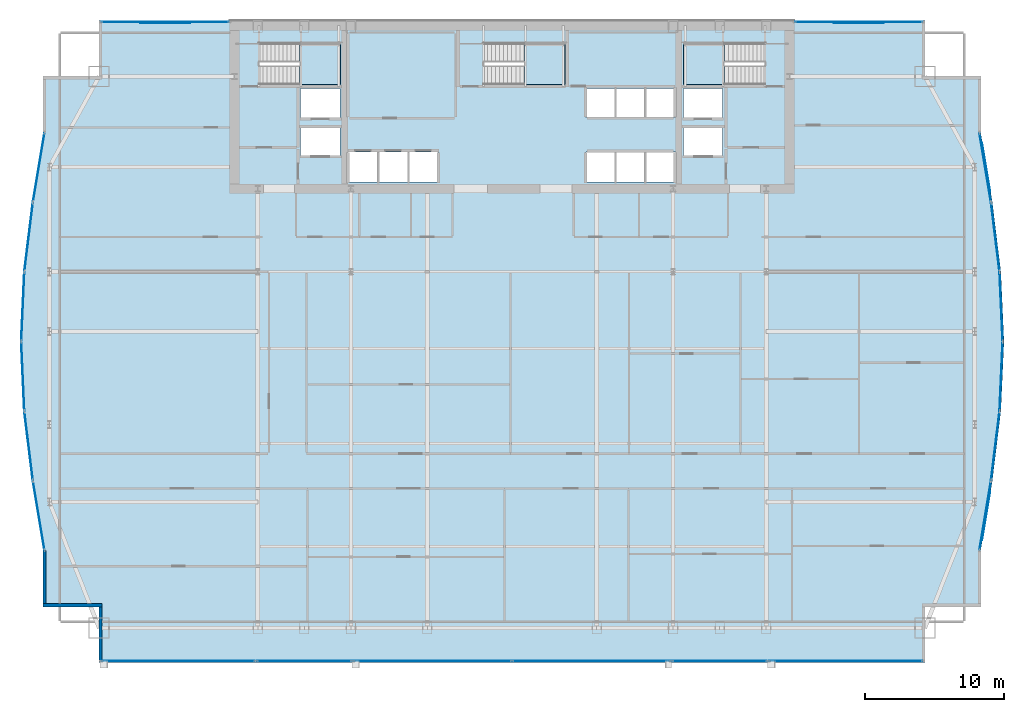
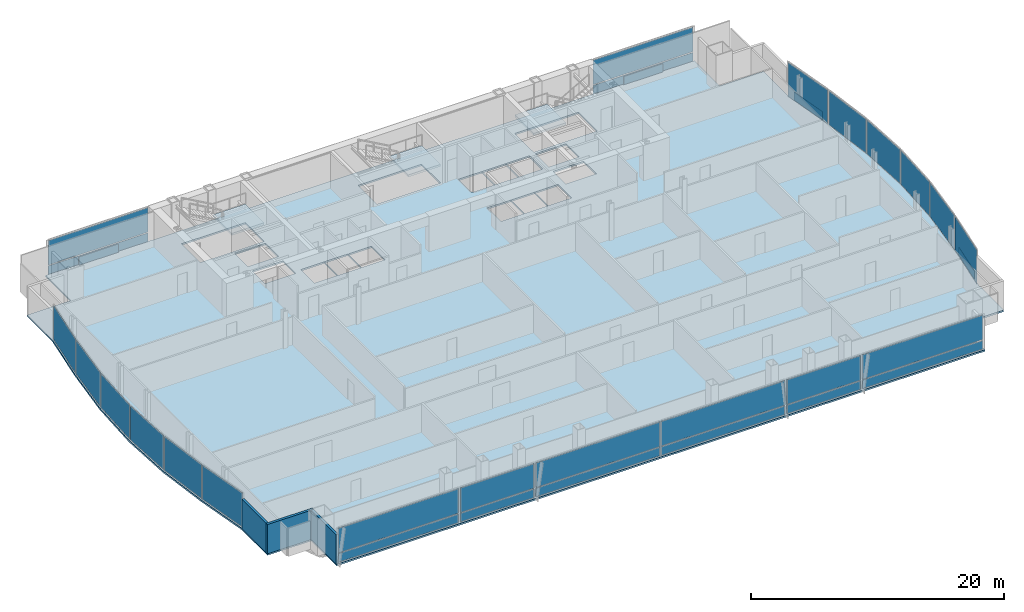
# One storey, part 25 of 31: 32 plates, 4 slabs, 3 walls, 22 elements without a shape of their own.
"""IFC4 building model written with IfcOpenShell, lengths in metres."""

from ifc_helpers import new_model, si_unit, direction, frame, frame_2d, origin, origin_2d, place, context, subcontext, project, spatial, polyline, rectangle, outline, extrude, material, layer, layer_set, type_object, element, aggregate, save


model = new_model("IFC4")

# Units and contexts
model_context = context("Model", 3, precision=1e-05, world=origin(), true_north=direction((0.0, 1.0)))
body_context = subcontext(model_context, "Body", "Model", "MODEL_VIEW")
ifc_project = project(units=[si_unit("LENGTHUNIT", "METRE"), si_unit("AREAUNIT", "SQUARE_METRE"), si_unit("VOLUMEUNIT", "CUBIC_METRE"), si_unit("PLANEANGLEUNIT", "RADIAN"), si_unit("MASSUNIT", "GRAM", prefix="KILO")], contexts=[model_context])

# Site, building, storey
site_placement = place(None, origin())
site = spatial("IfcSite", under=ifc_project, at=site_placement, CompositionType="ELEMENT")
building_placement = place(site_placement, origin())
building = spatial("IfcBuilding", under=site, at=building_placement, Name="Khoronbel Lancet Exchange", CompositionType="ELEMENT")
storey_placement = place(building_placement, frame((0.0, 0.0, 121.800048828125)))
storey = spatial("IfcBuildingStorey", under=building, at=storey_placement, Name="L29", CompositionType="ELEMENT", Elevation=121.800048828125)

# Curtain wall, plate
ifc_material_1 = material(Name="Low-E Solar Control Insulating Glass", Category="glass")
curtain_wall_type_1 = type_object("IfcCurtainWallType", Name="CW-4", PredefinedType="NOTDEFINED", material=ifc_material_1)
curtain_wall_1_placement = place(storey_placement, origin())
curtain_wall_1 = element("IfcCurtainWall", 1, at=curtain_wall_1_placement, inside=storey, type_object=curtain_wall_type_1, Name="Unitised curtain wall CW-L29-E05", PredefinedType="NOTDEFINED")
ifc_material_2 = material(Name="Bronze-Anodised Aluminium 6063-T6", Category="aluminium")
ifc_layer_1 = layer(ifc_material_2, 0.050048828125, Name="Bronze-Anodised Aluminium 6063-T6")
ifc_layer_set_1 = layer_set([ifc_layer_1], Name="Bronze-Anodised Aluminium 6063-T6")
plate_type_1 = type_object("IfcPlateType", Name="PLT-CSP1", PredefinedType="SHEET", material=ifc_layer_set_1)
plate_1_placement = place(storey_placement, frame((1.794677734375, 23.210205078125, 0.0849609375), z_axis=(0.0, 0.0, 1.0), x_axis=(-0.121779332051, 0.992557199503, 0.0)))
plate_1 = element("IfcPlate", 2, at=plate_1_placement, type_object=plate_type_1, Name="CW4 panel 1.1", PredefinedType="CURTAIN_PANEL", context=body_context, shape_type="SweptSolid", body=[
    extrude(rectangle(XDim=4.882080078125, YDim=0.0380859375, at=origin_2d()), origin(), (0.0, 0.0, 1.0), 3.27001953125),
])
aggregate(curtain_wall_1, [plate_1])

curtain_wall_2_placement = place(storey_placement, origin())
curtain_wall_2 = element("IfcCurtainWall", 3, at=curtain_wall_2_placement, inside=storey, type_object=curtain_wall_type_1, Name="Unitised curtain wall CW-L29-E06", PredefinedType="NOTDEFINED")
plate_2_placement = place(storey_placement, frame((1.376220703125, 28.203857421875, 0.0849609375), z_axis=(0.0, 0.0, 1.0), x_axis=(-0.044862147736, 0.998993187014, 0.0)))
plate_2 = element("IfcPlate", 4, at=plate_2_placement, type_object=plate_type_1, Name="CW4 panel 1.1", PredefinedType="CURTAIN_PANEL", context=body_context, shape_type="SweptSolid", body=[
    extrude(rectangle(XDim=4.847412109375, YDim=0.0380859375, at=origin_2d()), origin(), (0.0, 0.0, 1.0), 3.27001953125),
])
aggregate(curtain_wall_2, [plate_2])

curtain_wall_3_placement = place(storey_placement, origin())
curtain_wall_3 = element("IfcCurtainWall", 5, at=curtain_wall_3_placement, inside=storey, type_object=curtain_wall_type_1, Name="Unitised curtain wall CW-L29-E07", PredefinedType="NOTDEFINED")
plate_3_placement = place(storey_placement, frame((1.376220703125, 33.1962890625, 0.0849609375), z_axis=(0.0, 0.0, 1.0), x_axis=(0.044862147736, 0.998993187014, 0.0)))
plate_3 = element("IfcPlate", 6, at=plate_3_placement, type_object=plate_type_1, Name="CW4 panel 1.1", PredefinedType="CURTAIN_PANEL", context=body_context, shape_type="SweptSolid", body=[
    extrude(rectangle(XDim=4.847412109375, YDim=0.0380859375, at=origin_2d()), origin(), (0.0, 0.0, 1.0), 3.27001953125),
])
aggregate(curtain_wall_3, [plate_3])

curtain_wall_4_placement = place(storey_placement, origin())
curtain_wall_4 = element("IfcCurtainWall", 7, at=curtain_wall_4_placement, inside=storey, type_object=curtain_wall_type_1, Name="Unitised curtain wall CW-L29-E08", PredefinedType="NOTDEFINED")
plate_4_placement = place(storey_placement, frame((1.794677734375, 38.189697265625, 0.0849609375), z_axis=(0.0, 0.0, 1.0), x_axis=(0.121779332051, 0.992557199503, 0.0)))
plate_4 = element("IfcPlate", 8, at=plate_4_placement, type_object=plate_type_1, Name="CW4 panel 1.1", PredefinedType="CURTAIN_PANEL", context=body_context, shape_type="SweptSolid", body=[
    extrude(rectangle(XDim=4.882080078125, YDim=0.0380859375, at=origin_2d()), origin(), (0.0, 0.0, 1.0), 3.27001953125),
])
aggregate(curtain_wall_4, [plate_4])

curtain_wall_type_2 = type_object("IfcCurtainWallType", Name="CW-2", PredefinedType="NOTDEFINED", material=ifc_material_1)
curtain_wall_5_placement = place(storey_placement, origin())
curtain_wall_5 = element("IfcCurtainWall", 9, at=curtain_wall_5_placement, inside=storey, type_object=curtain_wall_type_2, Name="Unitised curtain wall CW-L29-NWFLK", PredefinedType="NOTDEFINED")
plate_5_placement = place(storey_placement, frame((11.580078125, 53.550048828125, 0.0498046875), z_axis=(0.0, 0.0, 1.0), x_axis=(-1.0, 0.0, 0.0)))
plate_5 = element("IfcPlate", 10, at=plate_5_placement, type_object=plate_type_1, Name="Insulated bronze spandrel cassette CW-L29-NWFLK", PredefinedType="SHEET", context=body_context, shape_type="SweptSolid", body=[
    extrude(rectangle(XDim=3.60009765625, YDim=0.050048828125, at=origin_2d()), origin(), (0.0, 0.0, 1.0), 0.800048828125),
])

curtain_wall_6_placement = place(storey_placement, origin())
curtain_wall_6 = element("IfcCurtainWall", 11, at=curtain_wall_6_placement, inside=storey, type_object=curtain_wall_type_2, Name="Unitised curtain wall CW-L29-NEFLK", PredefinedType="NOTDEFINED")
plate_6_placement = place(storey_placement, frame((61.320068359375, 53.550048828125, 0.0498046875), z_axis=(0.0, 0.0, 1.0), x_axis=(-1.0, 0.0, 0.0)))
plate_6 = element("IfcPlate", 12, at=plate_6_placement, type_object=plate_type_1, Name="Insulated bronze spandrel cassette CW-L29-NEFLK", PredefinedType="SHEET", context=body_context, shape_type="SweptSolid", body=[
    extrude(rectangle(XDim=3.60009765625, YDim=0.050048828125, at=origin_2d()), origin(), (0.0, 0.0, 1.0), 0.800048828125),
])

curtain_wall_7_placement = place(storey_placement, origin())
curtain_wall_7 = element("IfcCurtainWall", 13, at=curtain_wall_7_placement, inside=storey, type_object=curtain_wall_type_1, Name="Unitised curtain wall CW-L29-E17", PredefinedType="NOTDEFINED")
plate_7_placement = place(storey_placement, frame((70.438720703125, 43.19970703125, 0.0498046875), z_axis=(0.0, 0.0, 1.0), x_axis=(0.165293570002, -0.986244409726, 0.0)))
plate_7 = element("IfcPlate", 14, at=plate_7_placement, type_object=plate_type_1, Name="Insulated bronze spandrel cassette CW-L29-E17", PredefinedType="SHEET", context=body_context, shape_type="SweptSolid", body=[
    extrude(rectangle(XDim=3.552490234375, YDim=0.050048828125, at=origin_2d()), origin(), (0.0, 0.0, 1.0), 0.800048828125),
])

curtain_wall_8_placement = place(storey_placement, origin())
curtain_wall_8 = element("IfcCurtainWall", 15, at=curtain_wall_8_placement, inside=storey, type_object=curtain_wall_type_1, Name="Unitised curtain wall CW-L29-E18", PredefinedType="NOTDEFINED")
plate_8_placement = place(storey_placement, frame((71.105224609375, 38.189697265625, 0.0849609375), z_axis=(0.0, 0.0, 1.0), x_axis=(0.121779332051, -0.992557199503, 0.0)))
plate_8 = element("IfcPlate", 16, at=plate_8_placement, type_object=plate_type_1, Name="CW4 panel 1.1", PredefinedType="CURTAIN_PANEL", context=body_context, shape_type="SweptSolid", body=[
    extrude(rectangle(XDim=4.882080078125, YDim=0.0380859375, at=origin_2d()), origin(), (0.0, 0.0, 1.0), 3.27001953125),
])
aggregate(curtain_wall_8, [plate_8])

curtain_wall_9_placement = place(storey_placement, origin())
curtain_wall_9 = element("IfcCurtainWall", 17, at=curtain_wall_9_placement, inside=storey, type_object=curtain_wall_type_1, Name="Unitised curtain wall CW-L29-E19", PredefinedType="NOTDEFINED")
plate_9_placement = place(storey_placement, frame((71.523681640625, 33.1962890625, 0.0849609375), z_axis=(0.0, 0.0, 1.0), x_axis=(0.044862147736, -0.998993187014, 0.0)))
plate_9 = element("IfcPlate", 18, at=plate_9_placement, type_object=plate_type_1, Name="CW4 panel 1.1", PredefinedType="CURTAIN_PANEL", context=body_context, shape_type="SweptSolid", body=[
    extrude(rectangle(XDim=4.847412109375, YDim=0.0380859375, at=origin_2d()), origin(), (0.0, 0.0, 1.0), 3.27001953125),
])
aggregate(curtain_wall_9, [plate_9])

curtain_wall_10_placement = place(storey_placement, origin())
curtain_wall_10 = element("IfcCurtainWall", 19, at=curtain_wall_10_placement, inside=storey, type_object=curtain_wall_type_1, Name="Unitised curtain wall CW-L29-E20", PredefinedType="NOTDEFINED")
plate_10_placement = place(storey_placement, frame((71.523681640625, 28.203857421875, 0.0849609375), z_axis=(0.0, 0.0, 1.0), x_axis=(-0.044862147736, -0.998993187014, 0.0)))
plate_10 = element("IfcPlate", 20, at=plate_10_placement, type_object=plate_type_1, Name="CW4 panel 1.1", PredefinedType="CURTAIN_PANEL", context=body_context, shape_type="SweptSolid", body=[
    extrude(rectangle(XDim=4.847412109375, YDim=0.0380859375, at=origin_2d()), origin(), (0.0, 0.0, 1.0), 3.27001953125),
])
aggregate(curtain_wall_10, [plate_10])

curtain_wall_11_placement = place(storey_placement, origin())
curtain_wall_11 = element("IfcCurtainWall", 21, at=curtain_wall_11_placement, inside=storey, type_object=curtain_wall_type_1, Name="Unitised curtain wall CW-L29-E21", PredefinedType="NOTDEFINED")
plate_11_placement = place(storey_placement, frame((71.105224609375, 23.210205078125, 0.0849609375), z_axis=(0.0, 0.0, 1.0), x_axis=(-0.121779332051, -0.992557199503, 0.0)))
plate_11 = element("IfcPlate", 22, at=plate_11_placement, type_object=plate_type_1, Name="CW4 panel 1.1", PredefinedType="CURTAIN_PANEL", context=body_context, shape_type="SweptSolid", body=[
    extrude(rectangle(XDim=4.882080078125, YDim=0.0380859375, at=origin_2d()), origin(), (0.0, 0.0, 1.0), 3.27001953125),
])
aggregate(curtain_wall_11, [plate_11])

curtain_wall_12_placement = place(storey_placement, origin())
curtain_wall_12 = element("IfcCurtainWall", 23, at=curtain_wall_12_placement, inside=storey, type_object=curtain_wall_type_1, Name="Unitised curtain wall CW-L29-E22", PredefinedType="NOTDEFINED")
plate_12_placement = place(storey_placement, frame((70.438720703125, 18.2001953125, 0.0498046875), z_axis=(0.0, 0.0, 1.0), x_axis=(-0.165293570002, -0.986244409726, 0.0)))
plate_12 = element("IfcPlate", 24, at=plate_12_placement, type_object=plate_type_1, Name="Insulated bronze spandrel cassette CW-L29-E22", PredefinedType="SHEET", context=body_context, shape_type="SweptSolid", body=[
    extrude(rectangle(XDim=3.552490234375, YDim=0.050048828125, at=origin_2d()), origin(), (0.0, 0.0, 1.0), 0.800048828125),
])

# Curtain wall, plates
curtain_wall_13_placement = place(storey_placement, origin())
curtain_wall_13 = element("IfcCurtainWall", 25, at=curtain_wall_13_placement, inside=storey, type_object=curtain_wall_type_2, Name="Unitised curtain wall CW-L29-SWB", PredefinedType="NOTDEFINED")
plate_13_placement = place(storey_placement, frame((21.550048828125, 7.7900390625, 0.0849609375), z_axis=(0.0, 0.0, 1.0), x_axis=(1.0, 0.0, 0.0)))
plate_13 = element("IfcPlate", 26, at=plate_13_placement, type_object=plate_type_1, Name="CW2 panel 1.1", PredefinedType="CURTAIN_PANEL", context=body_context, shape_type="SweptSolid", body=[
    extrude(rectangle(XDim=6.72998046875, YDim=0.0380859375, at=origin_2d()), origin(), (0.0, 0.0, 1.0), 0.822509765625),
])
plate_14_placement = place(storey_placement, frame((21.550048828125, 7.7900390625, 0.9921875), z_axis=(0.0, 0.0, 1.0), x_axis=(1.0, 0.0, 0.0)))
plate_14 = element("IfcPlate", 27, at=plate_14_placement, type_object=plate_type_1, Name="CW2 panel 1.2", PredefinedType="CURTAIN_PANEL", context=body_context, shape_type="SweptSolid", body=[
    extrude(rectangle(XDim=6.72998046875, YDim=0.0380859375, at=origin_2d()), origin(), (0.0, 0.0, 1.0), 2.362548828125),
])
aggregate(curtain_wall_13, [plate_13, plate_14])

curtain_wall_14_placement = place(storey_placement, origin())
curtain_wall_14 = element("IfcCurtainWall", 28, at=curtain_wall_14_placement, inside=storey, type_object=curtain_wall_type_2, Name="Unitised curtain wall CW-L29-SEB", PredefinedType="NOTDEFINED")
plate_15_placement = place(storey_placement, frame((51.35009765625, 7.7900390625, 0.0849609375), z_axis=(0.0, 0.0, 1.0), x_axis=(1.0, 0.0, 0.0)))
plate_15 = element("IfcPlate", 29, at=plate_15_placement, type_object=plate_type_1, Name="CW2 panel 1.1", PredefinedType="CURTAIN_PANEL", context=body_context, shape_type="SweptSolid", body=[
    extrude(rectangle(XDim=6.72998046875, YDim=0.0380859375, at=origin_2d()), origin(), (0.0, 0.0, 1.0), 0.822509765625),
])
plate_16_placement = place(storey_placement, frame((51.35009765625, 7.7900390625, 0.9921875), z_axis=(0.0, 0.0, 1.0), x_axis=(1.0, 0.0, 0.0)))
plate_16 = element("IfcPlate", 30, at=plate_16_placement, type_object=plate_type_1, Name="CW2 panel 1.2", PredefinedType="CURTAIN_PANEL", context=body_context, shape_type="SweptSolid", body=[
    extrude(rectangle(XDim=6.72998046875, YDim=0.0380859375, at=origin_2d()), origin(), (0.0, 0.0, 1.0), 2.362548828125),
])
aggregate(curtain_wall_14, [plate_15, plate_16])

# Plate
ifc_layer_2 = layer(ifc_material_1, 0.035888671875, Name="Low-E Solar Control Insulating Glass")
ifc_layer_set_2 = layer_set([ifc_layer_2], Name="Low-E Solar Control Insulating Glass")
plate_type_2 = type_object("IfcPlateType", Name="PLT-CWP1", PredefinedType="CURTAIN_PANEL", material=ifc_layer_set_2)
plate_17_placement = place(storey_placement, frame((11.580078125, 53.610107421875, 0.0849609375), z_axis=(0.0, 0.0, 1.0), x_axis=(-1.0, 0.0, 0.0)))
plate_17 = element("IfcPlate", 31, at=plate_17_placement, type_object=plate_type_2, Name="CW2 panel 1.1", PredefinedType="CURTAIN_PANEL", context=body_context, shape_type="SweptSolid", body=[
    extrude(rectangle(XDim=9.110107421875, YDim=0.0380859375, at=origin_2d()), origin(), (0.0, 0.0, 1.0), 0.822509765625),
])

plate_18_placement = place(storey_placement, frame((11.580078125, 53.610107421875, 0.9921875), z_axis=(0.0, 0.0, 1.0), x_axis=(-1.0, 0.0, 0.0)))
plate_18 = element("IfcPlate", 32, at=plate_18_placement, type_object=plate_type_2, Name="CW2 panel 1.2", PredefinedType="CURTAIN_PANEL", context=body_context, shape_type="SweptSolid", body=[
    extrude(rectangle(XDim=9.110107421875, YDim=0.0380859375, at=origin_2d()), origin(), (0.0, 0.0, 1.0), 2.362548828125),
])

aggregate(curtain_wall_5, [plate_17, plate_18, plate_5])

plate_19_placement = place(storey_placement, frame((61.320068359375, 53.610107421875, 0.0849609375), z_axis=(0.0, 0.0, 1.0), x_axis=(-1.0, 0.0, 0.0)))
plate_19 = element("IfcPlate", 33, at=plate_19_placement, type_object=plate_type_2, Name="CW2 panel 1.1", PredefinedType="CURTAIN_PANEL", context=body_context, shape_type="SweptSolid", body=[
    extrude(rectangle(XDim=9.110107421875, YDim=0.0380859375, at=origin_2d()), origin(), (0.0, 0.0, 1.0), 0.822509765625),
])

plate_20_placement = place(storey_placement, frame((61.320068359375, 53.610107421875, 0.9921875), z_axis=(0.0, 0.0, 1.0), x_axis=(-1.0, 0.0, 0.0)))
plate_20 = element("IfcPlate", 34, at=plate_20_placement, type_object=plate_type_2, Name="CW2 panel 1.2", PredefinedType="CURTAIN_PANEL", context=body_context, shape_type="SweptSolid", body=[
    extrude(rectangle(XDim=9.110107421875, YDim=0.0380859375, at=origin_2d()), origin(), (0.0, 0.0, 1.0), 2.362548828125),
])

aggregate(curtain_wall_6, [plate_19, plate_20, plate_6])

# Curtain wall, plates
curtain_wall_15_placement = place(storey_placement, origin())
curtain_wall_15 = element("IfcCurtainWall", 35, at=curtain_wall_15_placement, inside=storey, type_object=curtain_wall_type_2, Name="Unitised curtain wall CW-L29-SWV", PredefinedType="NOTDEFINED")
plate_21_placement = place(storey_placement, frame((12.52001953125, 7.7900390625, 0.0849609375), z_axis=(0.0, 0.0, 1.0), x_axis=(1.0, 0.0, 0.0)))
plate_21 = element("IfcPlate", 36, at=plate_21_placement, type_object=plate_type_2, Name="CW2 panel 1.1", PredefinedType="CURTAIN_PANEL", context=body_context, shape_type="SweptSolid", body=[
    extrude(rectangle(XDim=10.989990234375, YDim=0.0380859375, at=origin_2d()), origin(), (0.0, 0.0, 1.0), 0.822509765625),
])
plate_22_placement = place(storey_placement, frame((12.52001953125, 7.7900390625, 0.9921875), z_axis=(0.0, 0.0, 1.0), x_axis=(1.0, 0.0, 0.0)))
plate_22 = element("IfcPlate", 37, at=plate_22_placement, type_object=plate_type_2, Name="CW2 panel 1.2", PredefinedType="CURTAIN_PANEL", context=body_context, shape_type="SweptSolid", body=[
    extrude(rectangle(XDim=10.989990234375, YDim=0.0380859375, at=origin_2d()), origin(), (0.0, 0.0, 1.0), 2.362548828125),
])
aggregate(curtain_wall_15, [plate_21, plate_22])

curtain_wall_16_placement = place(storey_placement, origin())
curtain_wall_16 = element("IfcCurtainWall", 38, at=curtain_wall_16_placement, inside=storey, type_object=curtain_wall_type_2, Name="Unitised curtain wall CW-L29-SCV", PredefinedType="NOTDEFINED")
plate_23_placement = place(storey_placement, frame((30.746337890625, 7.7900390625, 0.0849609375), z_axis=(0.0, 0.0, 1.0), x_axis=(1.0, 0.0, 0.0)))
plate_23 = element("IfcPlate", 39, at=plate_23_placement, type_object=plate_type_2, Name="CW2 panel 1.1", PredefinedType="CURTAIN_PANEL", context=body_context, shape_type="SweptSolid", body=[
    extrude(rectangle(XDim=11.322509765625, YDim=0.0380859375, at=origin_2d()), origin(), (0.0, 0.0, 1.0), 0.822509765625),
])
plate_24_placement = place(storey_placement, frame((30.746337890625, 7.7900390625, 0.9921875), z_axis=(0.0, 0.0, 1.0), x_axis=(1.0, 0.0, 0.0)))
plate_24 = element("IfcPlate", 40, at=plate_24_placement, type_object=plate_type_2, Name="CW2 panel 1.2", PredefinedType="CURTAIN_PANEL", context=body_context, shape_type="SweptSolid", body=[
    extrude(rectangle(XDim=11.322509765625, YDim=0.0380859375, at=origin_2d()), origin(), (0.0, 0.0, 1.0), 2.362548828125),
])
plate_25_placement = place(storey_placement, frame((42.15380859375, 7.7900390625, 0.0849609375), z_axis=(0.0, 0.0, 1.0), x_axis=(1.0, 0.0, 0.0)))
plate_25 = element("IfcPlate", 41, at=plate_25_placement, type_object=plate_type_2, Name="CW2 panel 2.1", PredefinedType="CURTAIN_PANEL", context=body_context, shape_type="SweptSolid", body=[
    extrude(rectangle(XDim=11.322509765625, YDim=0.0380859375, at=origin_2d()), origin(), (0.0, 0.0, 1.0), 0.822509765625),
])
plate_26_placement = place(storey_placement, frame((42.15380859375, 7.7900390625, 0.9921875), z_axis=(0.0, 0.0, 1.0), x_axis=(1.0, 0.0, 0.0)))
plate_26 = element("IfcPlate", 42, at=plate_26_placement, type_object=plate_type_2, Name="CW2 panel 2.2", PredefinedType="CURTAIN_PANEL", context=body_context, shape_type="SweptSolid", body=[
    extrude(rectangle(XDim=11.322509765625, YDim=0.0380859375, at=origin_2d()), origin(), (0.0, 0.0, 1.0), 2.362548828125),
])
aggregate(curtain_wall_16, [plate_23, plate_24, plate_25, plate_26])

curtain_wall_17_placement = place(storey_placement, origin())
curtain_wall_17 = element("IfcCurtainWall", 43, at=curtain_wall_17_placement, inside=storey, type_object=curtain_wall_type_2, Name="Unitised curtain wall CW-L29-SEV", PredefinedType="NOTDEFINED")
plate_27_placement = place(storey_placement, frame((60.3798828125, 7.7900390625, 0.0849609375), z_axis=(0.0, 0.0, 1.0), x_axis=(1.0, 0.0, 0.0)))
plate_27 = element("IfcPlate", 44, at=plate_27_placement, type_object=plate_type_2, Name="CW2 panel 1.1", PredefinedType="CURTAIN_PANEL", context=body_context, shape_type="SweptSolid", body=[
    extrude(rectangle(XDim=10.989990234375, YDim=0.0380859375, at=origin_2d()), origin(), (0.0, 0.0, 1.0), 0.822509765625),
])
plate_28_placement = place(storey_placement, frame((60.3798828125, 7.7900390625, 0.9921875), z_axis=(0.0, 0.0, 1.0), x_axis=(1.0, 0.0, 0.0)))
plate_28 = element("IfcPlate", 45, at=plate_28_placement, type_object=plate_type_2, Name="CW2 panel 1.2", PredefinedType="CURTAIN_PANEL", context=body_context, shape_type="SweptSolid", body=[
    extrude(rectangle(XDim=10.989990234375, YDim=0.0380859375, at=origin_2d()), origin(), (0.0, 0.0, 1.0), 2.362548828125),
])
aggregate(curtain_wall_17, [plate_27, plate_28])

# Curtain wall, plate
curtain_wall_18_placement = place(storey_placement, origin())
curtain_wall_18 = element("IfcCurtainWall", 46, at=curtain_wall_18_placement, inside=storey, type_object=curtain_wall_type_1, Name="Unitised curtain wall CW-L29-E04", PredefinedType="NOTDEFINED")
ifc_material_3 = material(Name="Ceramic-Fritted Laminated Insulating Glass", Category="glass")
ifc_layer_3 = layer(ifc_material_3, 0.0419921875, Name="Ceramic-Fritted Laminated Insulating Glass")
ifc_layer_set_3 = layer_set([ifc_layer_3], Name="Ceramic-Fritted Laminated Insulating Glass")
plate_type_3 = type_object("IfcPlateType", Name="PLT-CWP2", PredefinedType="CURTAIN_PANEL", material=ifc_layer_set_3)
plate_29_placement = place(storey_placement, frame((2.5205078125, 18.210205078125, 0.0849609375), z_axis=(0.0, 0.0, 1.0), x_axis=(-0.165293570002, 0.986244409726, 0.0)))
plate_29 = element("IfcPlate", 47, at=plate_29_placement, type_object=plate_type_3, Name="CW4 panel 1.1", PredefinedType="CURTAIN_PANEL", context=body_context, shape_type="SweptSolid", body=[
    extrude(rectangle(XDim=4.92529296875, YDim=0.0380859375, at=origin_2d()), origin(), (0.0, 0.0, 1.0), 3.27001953125),
])
aggregate(curtain_wall_18, [plate_29])

curtain_wall_19_placement = place(storey_placement, origin())
curtain_wall_19 = element("IfcCurtainWall", 48, at=curtain_wall_19_placement, inside=storey, type_object=curtain_wall_type_1, Name="Unitised curtain wall CW-L29-E09", PredefinedType="NOTDEFINED")
plate_30_placement = place(storey_placement, frame((2.5205078125, 43.189697265625, 0.0849609375), z_axis=(0.0, 0.0, 1.0), x_axis=(0.165293570002, 0.986244409726, 0.0)))
plate_30 = element("IfcPlate", 49, at=plate_30_placement, type_object=plate_type_3, Name="CW4 panel 1.1", PredefinedType="CURTAIN_PANEL", context=body_context, shape_type="SweptSolid", body=[
    extrude(rectangle(XDim=4.92529296875, YDim=0.0380859375, at=origin_2d()), origin(), (0.0, 0.0, 1.0), 3.27001953125),
])
aggregate(curtain_wall_19, [plate_30])

# Plate
plate_31_placement = place(storey_placement, frame((70.37939453125, 43.189697265625, 0.0849609375), z_axis=(0.0, 0.0, 1.0), x_axis=(0.165293570002, -0.986244409726, 0.0)))
plate_31 = element("IfcPlate", 50, at=plate_31_placement, type_object=plate_type_3, Name="CW4 panel 1.1", PredefinedType="CURTAIN_PANEL", context=body_context, shape_type="SweptSolid", body=[
    extrude(rectangle(XDim=4.92529296875, YDim=0.0380859375, at=origin_2d()), origin(), (0.0, 0.0, 1.0), 3.27001953125),
])

aggregate(curtain_wall_7, [plate_31, plate_7])

plate_32_placement = place(storey_placement, frame((70.37939453125, 18.210205078125, 0.0849609375), z_axis=(0.0, 0.0, 1.0), x_axis=(-0.165293570002, -0.986244409726, 0.0)))
plate_32 = element("IfcPlate", 51, at=plate_32_placement, type_object=plate_type_3, Name="CW4 panel 1.1", PredefinedType="CURTAIN_PANEL", context=body_context, shape_type="SweptSolid", body=[
    extrude(rectangle(XDim=4.92529296875, YDim=0.0380859375, at=origin_2d()), origin(), (0.0, 0.0, 1.0), 3.27001953125),
])

aggregate(curtain_wall_12, [plate_32, plate_12])

# Slab
ifc_material_4 = material(Name="Concrete C40/50", Category="concrete")
ifc_layer_4 = layer(ifc_material_4, 0.159912109375, Name="Concrete C40/50")
ifc_layer_set_4 = layer_set([ifc_layer_4], Name="Concrete C40/50")
slab_type_1 = type_object("IfcSlabType", Name="SL-FL160", PredefinedType="FLOOR", material=ifc_layer_set_4)
slab_1_placement = place(storey_placement, frame((0.0, 0.0, -0.16015625)))
element("IfcSlab", 52, at=slab_1_placement, inside=storey, type_object=slab_type_1, Name="Level L29 composite structural floor slab", PredefinedType="FLOOR", context=body_context, shape_type="SweptSolid", body=[
    extrude(outline(polyline([(6.85009765625, 7.699951171875), (66.050048828125, 7.699951171875), (66.050048828125, 11.699951171875), (70.050048828125, 11.699951171875), (70.050048828125, 15.699951171875), (70.887939453125, 20.699951171875), (71.50146484375, 25.699951171875), (71.72607421875, 30.699951171875), (71.50146484375, 35.699951171875), (70.887939453125, 40.699951171875), (70.050048828125, 45.699951171875), (70.050048828125, 49.699951171875), (66.050048828125, 49.699951171875), (66.050048828125, 53.699951171875), (6.85009765625, 53.699951171875), (6.85009765625, 49.699951171875), (2.85009765625, 49.699951171875), (2.85009765625, 45.699951171875), (2.011962890625, 40.699951171875), (1.3984375, 35.699951171875), (1.174072265625, 30.699951171875), (1.3984375, 25.699951171875), (2.011962890625, 20.699951171875), (2.85009765625, 15.699951171875), (2.85009765625, 11.699951171875), (6.85009765625, 11.699951171875), (6.85009765625, 7.699951171875)]), holes=[polyline([(18.324951171875, 49.1201171875), (24.14990234375, 49.1201171875), (24.14990234375, 52.10009765625), (18.324951171875, 52.10009765625), (18.324951171875, 49.1201171875)]), polyline([(48.75, 49.1201171875), (54.574951171875, 49.1201171875), (54.574951171875, 52.10009765625), (48.75, 52.10009765625), (48.75, 49.1201171875)]), polyline([(34.425048828125, 49.1201171875), (40.25, 49.1201171875), (40.25, 52.10009765625), (34.425048828125, 52.10009765625), (34.425048828125, 49.1201171875)]), polyline([(24.699951171875, 42.14990234375), (26.840087890625, 42.14990234375), (26.840087890625, 44.300048828125), (24.699951171875, 44.300048828125), (24.699951171875, 42.14990234375)]), polyline([(26.860107421875, 42.14990234375), (29.0, 42.14990234375), (29.0, 44.300048828125), (26.860107421875, 44.300048828125), (26.860107421875, 42.14990234375)]), polyline([(29.02001953125, 42.14990234375), (31.159912109375, 42.14990234375), (31.159912109375, 44.300048828125), (29.02001953125, 44.300048828125), (29.02001953125, 42.14990234375)]), polyline([(41.739990234375, 46.75), (43.8798828125, 46.75), (43.8798828125, 48.85009765625), (41.739990234375, 48.85009765625), (41.739990234375, 46.75)]), polyline([(43.89990234375, 46.75), (46.0400390625, 46.75), (46.0400390625, 48.85009765625), (43.89990234375, 48.85009765625), (43.89990234375, 46.75)]), polyline([(46.06005859375, 46.75), (48.199951171875, 46.75), (48.199951171875, 48.85009765625), (46.06005859375, 48.85009765625), (46.06005859375, 46.75)]), polyline([(41.739990234375, 42.14990234375), (43.8798828125, 42.14990234375), (43.8798828125, 44.300048828125), (41.739990234375, 44.300048828125), (41.739990234375, 42.14990234375)]), polyline([(43.89990234375, 42.14990234375), (46.0400390625, 42.14990234375), (46.0400390625, 44.300048828125), (43.89990234375, 44.300048828125), (43.89990234375, 42.14990234375)]), polyline([(46.06005859375, 42.14990234375), (48.199951171875, 42.14990234375), (48.199951171875, 44.300048828125), (46.06005859375, 44.300048828125), (46.06005859375, 42.14990234375)]), polyline([(21.300048828125, 46.75), (24.10009765625, 46.75), (24.10009765625, 48.85009765625), (21.300048828125, 48.85009765625), (21.300048828125, 46.75)]), polyline([(48.75, 46.75), (51.550048828125, 46.75), (51.550048828125, 48.85009765625), (48.75, 48.85009765625), (48.75, 46.75)]), polyline([(21.300048828125, 44.050048828125), (24.10009765625, 44.050048828125), (24.10009765625, 46.050048828125), (21.300048828125, 46.050048828125), (21.300048828125, 44.050048828125)]), polyline([(48.75, 44.050048828125), (51.550048828125, 44.050048828125), (51.550048828125, 46.050048828125), (48.75, 46.050048828125), (48.75, 44.050048828125)])]), origin(), (0.0, 0.0, 1.0), 0.16015625),
])

# Stair, slab
stair_type = type_object("IfcStairType", Name="STR-CORE150", PredefinedType="HALF_TURN_STAIR", material=ifc_material_4)
stair_1_placement = place(storey_placement, origin())
stair_1 = element("IfcStair", 53, at=stair_1_placement, inside=storey, type_object=stair_type, Name="L29 Protected Exit Stair ST1", PredefinedType="HALF_TURN_STAIR")
ifc_layer_5 = layer(ifc_material_4, 0.199951171875, Name="Concrete C40/50")
ifc_layer_set_5 = layer_set([ifc_layer_5], Name="Concrete C40/50")
slab_type_2 = type_object("IfcSlabType", Name="SL-LND180", PredefinedType="LANDING", material=ifc_layer_set_5)
slab_2_placement = place(storey_placement, frame((0.0, 0.0, 1.599853515625)))
slab_2 = element("IfcSlab", 54, at=slab_2_placement, type_object=slab_type_2, Name="ST1 landing 1", PredefinedType="LANDING", context=body_context, shape_type="SweptSolid", body=[
    extrude(outline(polyline([(21.199951171875, 49.1201171875), (24.14990234375, 49.1201171875), (24.14990234375, 52.10009765625), (21.199951171875, 52.10009765625), (21.199951171875, 49.1201171875)])), origin(), (0.0, 0.0, 1.0), 0.2001953125),
])
aggregate(stair_1, [slab_2])

stair_2_placement = place(storey_placement, origin())
stair_2 = element("IfcStair", 55, at=stair_2_placement, inside=storey, type_object=stair_type, Name="L29 Protected Exit Stair ST2", PredefinedType="HALF_TURN_STAIR")
slab_3_placement = place(storey_placement, frame((0.0, 0.0, 1.599853515625)))
slab_3 = element("IfcSlab", 56, at=slab_3_placement, type_object=slab_type_2, Name="ST2 landing 1", PredefinedType="LANDING", context=body_context, shape_type="SweptSolid", body=[
    extrude(outline(polyline([(51.699951171875, 52.10009765625), (48.75, 52.10009765625), (48.75, 49.1201171875), (51.699951171875, 49.1201171875), (51.699951171875, 52.10009765625)])), origin(), (0.0, 0.0, 1.0), 0.2001953125),
])
aggregate(stair_2, [slab_3])

stair_3_placement = place(storey_placement, origin())
stair_3 = element("IfcStair", 57, at=stair_3_placement, inside=storey, type_object=stair_type, Name="L29 Protected Exit Stair ST3", PredefinedType="HALF_TURN_STAIR")
slab_4_placement = place(storey_placement, frame((0.0, 0.0, 1.599853515625)))
slab_4 = element("IfcSlab", 58, at=slab_4_placement, type_object=slab_type_2, Name="ST3 landing 1", PredefinedType="LANDING", context=body_context, shape_type="SweptSolid", body=[
    extrude(outline(polyline([(37.300048828125, 49.1201171875), (40.25, 49.1201171875), (40.25, 52.10009765625), (37.300048828125, 52.10009765625), (37.300048828125, 49.1201171875)])), origin(), (0.0, 0.0, 1.0), 0.2001953125),
])
aggregate(stair_3, [slab_4])

# Walls
ifc_material_5 = material(Name="Precast concrete C40/50", Category="concrete")
ifc_layer_6 = layer(ifc_material_5, 0.25, Name="Precast concrete C40/50")
ifc_layer_set_6 = layer_set([ifc_layer_6], Name="Precast concrete C40/50")
wall_type = type_object("IfcWallType", Name="WL-EXT250", PredefinedType="SOLIDWALL", material=ifc_layer_set_6)
wall_1_placement = place(storey_placement, frame((6.93994140625, 7.77001953125, 0.0), z_axis=(0.0, 0.0, 1.0), x_axis=(0.0, 1.0, 0.0)))
element("IfcWall", 59, at=wall_1_placement, inside=storey, type_object=wall_type, Name="Level L29 notched-corner limestone pier 01", PredefinedType="SOLIDWALL", context=body_context, shape_type="SweptSolid", body=[
    extrude(rectangle(XDim=3.909912109375, YDim=0.219970703125, at=frame_2d((1.955078125, 0.0))), origin(), (0.0, 0.0, 1.0), 2.829833984375),
])
wall_2_placement = place(storey_placement, frame((7.050048828125, 11.7900390625, 0.0), z_axis=(0.0, 0.0, 1.0), x_axis=(-1.0, 0.0, 0.0)))
element("IfcWall", 60, at=wall_2_placement, inside=storey, type_object=wall_type, Name="Level L29 notched-corner limestone pier 02", PredefinedType="SOLIDWALL", context=body_context, shape_type="SweptSolid", body=[
    extrude(rectangle(XDim=4.219970703125, YDim=0.219970703125, at=frame_2d((2.10986328125, 0.0))), origin(), (0.0, 0.0, 1.0), 2.829833984375),
])
wall_3_placement = place(storey_placement, frame((2.93994140625, 11.89990234375, 0.0), z_axis=(0.0, 0.0, 1.0), x_axis=(0.0, 1.0, 0.0)))
element("IfcWall", 61, at=wall_3_placement, inside=storey, type_object=wall_type, Name="Level L29 notched-corner limestone pier 03", PredefinedType="SOLIDWALL", context=body_context, shape_type="SweptSolid", body=[
    extrude(rectangle(XDim=3.82763671875, YDim=0.219970703125, at=frame_2d((1.913818359375, 0.0))), origin(), (0.0, 0.0, 1.0), 2.829833984375),
])

save(model, "model.ifc")
